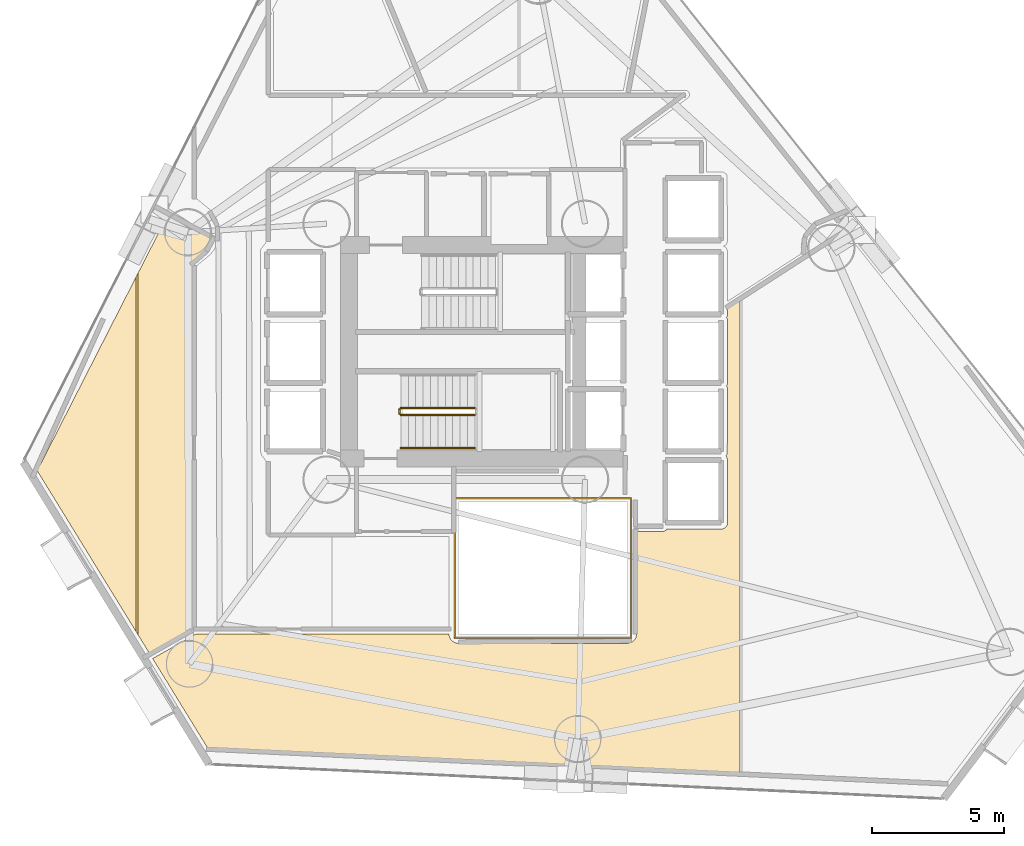
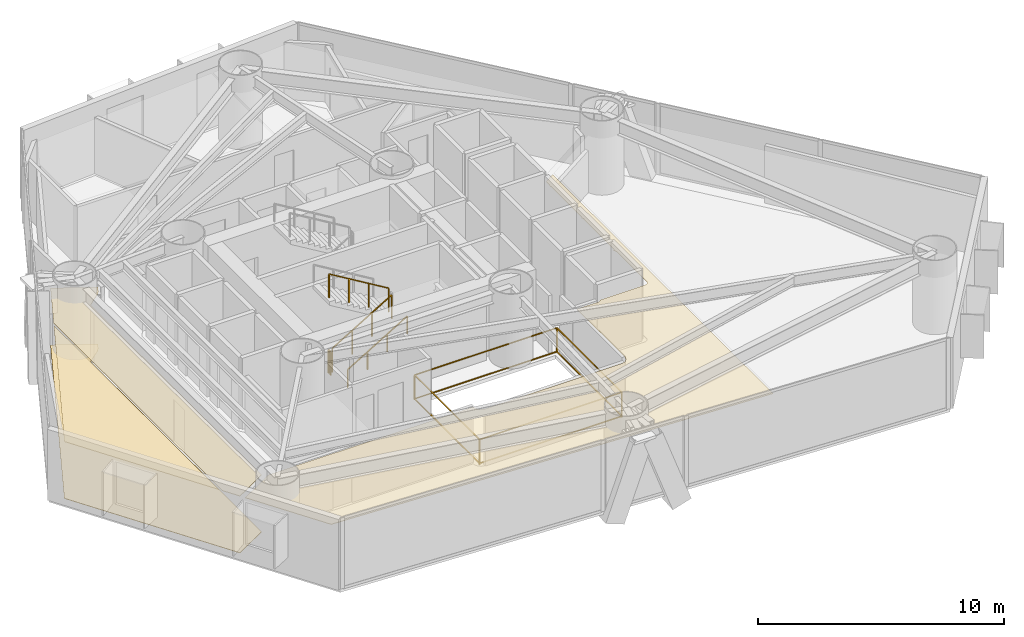
# One storey, part 20 of 23: 5 railings, 4 coverings.
"""IFC4 building model written with IfcOpenShell, lengths in metres."""

from ifc_helpers import new_model, si_unit, direction, frame, origin, origin_2d, place, context, subcontext, project, spatial, polyline, rectangle, outline, extrude, material, layer, layer_set, type_object, element, save


model = new_model("IFC4")

# Units and contexts
model_context = context("Model", 3, precision=1e-05, world=origin(), true_north=direction((0.0, 1.0)))
body_context = subcontext(model_context, "Body", "Model", "MODEL_VIEW")
ifc_project = project(units=[si_unit("LENGTHUNIT", "METRE"), si_unit("AREAUNIT", "SQUARE_METRE"), si_unit("VOLUMEUNIT", "CUBIC_METRE"), si_unit("PLANEANGLEUNIT", "RADIAN"), si_unit("MASSUNIT", "GRAM", prefix="KILO")], contexts=[model_context])

# Site, building, storey
site_placement = place(None, origin())
site = spatial("IfcSite", under=ifc_project, at=site_placement, CompositionType="ELEMENT")
building_placement = place(site_placement, origin())
building = spatial("IfcBuilding", under=site, at=building_placement, Name="Qianvela Tower", CompositionType="ELEMENT")
storey_placement = place(building_placement, frame((0.0, 0.0, 36.800048828125)))
storey = spatial("IfcBuildingStorey", under=building, at=storey_placement, Name="L08", CompositionType="ELEMENT", Elevation=36.800048828125)

# Coverings
ifc_material_1 = material(Name="Perforated Mineral Acoustic Ceiling Tile")
ifc_layer_1 = layer(ifc_material_1, 0.02490234375)
ifc_layer_set_1 = layer_set([ifc_layer_1], Name="Perforated Mineral Acoustic Ceiling Tile")
covering_type_1 = type_object("IfcCoveringType", Name="COV-CEIL-ACOUSTIC-25", PredefinedType="CEILING", material=ifc_layer_set_1)
covering_1_placement = place(storey_placement, frame((0.0, 0.0, 2.81494140625)))
element("IfcCovering", 1, at=covering_1_placement, inside=storey, type_object=covering_type_1, Name="L08 Acoustic Ceiling Bay 1 Shared Communal Kitchen L08-01", PredefinedType="CEILING", context=body_context, shape_type="SweptSolid", body=[
    extrude(outline(polyline([(17.628173828125, 24.18701171875), (21.37060546875, 31.51953125), (21.37060546875, 18.09716796875), (17.628173828125, 24.18701171875)])), origin(), (0.0, 0.0, 1.0), 0.02490234375),
])
covering_2_placement = place(storey_placement, frame((0.0, 0.0, 2.81494140625)))
element("IfcCovering", 2, at=covering_2_placement, inside=storey, type_object=covering_type_1, Name="L08 Acoustic Ceiling Bay 2 Shared Communal Kitchen L08-01", PredefinedType="CEILING", context=body_context, shape_type="SweptSolid", body=[
    extrude(outline(polyline([(24.2724609375, 32.97607421875), (24.269287109375, 32.945556640625), (24.135498046875, 32.695068359375), (24.016357421875, 32.5498046875), (23.448486328125, 32.083740234375), (23.442626953125, 32.07861328125), (23.4375, 32.07275390625), (23.4326171875, 32.06640625), (23.4287109375, 32.0595703125), (23.39990234375, 32.005615234375), (23.396484375, 31.99853515625), (23.393798828125, 31.9912109375), (23.391845703125, 31.9833984375), (23.390869140625, 31.975830078125), (23.390380859375, 31.968017578125), (23.389892578125, 18.14990234375), (23.390380859375, 18.142578125), (23.391357421875, 18.135498046875), (23.391845703125, 18.133056640625), (21.877197265625, 17.273193359375), (21.45068359375, 17.966796875), (21.45068359375, 31.67626953125), (22.5791015625, 33.886962890625), (24.2724609375, 32.97607421875)])), origin(), (0.0, 0.0, 1.0), 0.02490234375),
])
covering_3_placement = place(storey_placement, frame((0.0, 0.0, 2.81494140625)))
element("IfcCovering", 3, at=covering_3_placement, inside=storey, type_object=covering_type_1, Name="L08 Acoustic Ceiling Bay 1 Student Tea Pantry L08-02", PredefinedType="CEILING", context=body_context, shape_type="SweptSolid", body=[
    extrude(outline(polyline([(33.24609375, 17.989990234375), (33.252197265625, 17.912353515625), (33.25341796875, 17.904296875), (33.25537109375, 17.896240234375), (33.258056640625, 17.888427734375), (33.261474609375, 17.881103515625), (33.31298828125, 17.78466796875), (33.31689453125, 17.77783203125), (33.32177734375, 17.771484375), (33.326904296875, 17.765869140625), (33.332763671875, 17.760498046875), (33.417236328125, 17.691162109375), (33.42431640625, 17.68603515625), (33.431884765625, 17.681640625), (33.440185546875, 17.677978515625), (33.448486328125, 17.675537109375), (33.58056640625, 17.642333984375), (33.5869140625, 17.64111328125), (33.593505859375, 17.640380859375), (33.60009765625, 17.639892578125), (40.0, 17.639892578125), (40.0078125, 17.640380859375), (40.015625, 17.6416015625), (40.023193359375, 17.643310546875), (40.1787109375, 17.690673828125), (40.185546875, 17.693115234375), (40.192138671875, 17.696044921875), (40.198486328125, 17.69970703125), (40.204345703125, 17.70361328125), (40.209716796875, 17.70849609375), (40.21484375, 17.71337890625), (40.30615234375, 17.814208984375), (40.311279296875, 17.8203125), (40.315673828125, 17.826904296875), (40.3193359375, 17.833740234375), (40.322265625, 17.841064453125), (40.324462890625, 17.8486328125), (40.357666015625, 17.980712890625), (40.35888671875, 17.987060546875), (40.359619140625, 17.993408203125), (40.360107421875, 18.0), (40.360107421875, 21.889892578125), (41.367919921875, 21.890380859375), (41.375732421875, 21.890869140625), (41.383544921875, 21.891845703125), (41.39111328125, 21.893798828125), (41.3984375, 21.896484375), (41.405517578125, 21.89990234375), (41.45947265625, 21.9287109375), (41.46630859375, 21.932861328125), (41.472900390625, 21.9375), (41.478759765625, 21.943115234375), (41.48388671875, 21.948974609375), (41.48876953125, 21.955322265625), (41.492919921875, 21.96240234375), (41.49609375, 21.969482421875), (41.498779296875, 21.97705078125), (41.49951171875, 21.97998046875), (43.59375, 21.980712890625), (43.6015625, 21.981201171875), (43.609375, 21.982177734375), (43.616943359375, 21.984130859375), (43.624267578125, 21.98681640625), (43.699462890625, 22.017822265625), (43.70654296875, 22.021240234375), (43.71337890625, 22.025390625), (43.719482421875, 22.02978515625), (43.725341796875, 22.03515625), (43.730712890625, 22.041015625), (43.7353515625, 22.04736328125), (43.780517578125, 22.114990234375), (43.784423828125, 22.12158203125), (43.787841796875, 22.128662109375), (43.79052734375, 22.135986328125), (43.79248046875, 22.1435546875), (43.793701171875, 22.1513671875), (43.7939453125, 22.1591796875), (43.800048828125, 24.599853515625), (43.7998046875, 24.606689453125), (43.798828125, 24.613525390625), (43.79736328125, 24.620361328125), (43.79541015625, 24.626953125), (43.763427734375, 24.7158203125), (43.760498046875, 24.722900390625), (43.7568359375, 24.72998046875), (43.75244140625, 24.736572265625), (43.74755859375, 24.742431640625), (43.741943359375, 24.748046875), (43.736083984375, 24.7529296875), (43.771240234375, 24.795654296875), (43.77587890625, 24.802001953125), (43.77978515625, 24.80859375), (43.783203125, 24.815673828125), (43.785888671875, 24.822998046875), (43.787841796875, 24.83056640625), (43.788818359375, 24.83837890625), (43.789306640625, 24.84619140625), (43.800048828125, 27.2998046875), (43.799560546875, 27.3076171875), (43.798583984375, 27.315673828125), (43.79638671875, 27.323486328125), (43.793701171875, 27.3310546875), (43.7646484375, 27.39990234375), (43.793701171875, 27.468994140625), (43.79638671875, 27.476318359375), (43.79833984375, 27.484130859375), (43.799560546875, 27.491943359375), (43.800048828125, 27.5), (43.800048828125, 29.89990234375), (43.799560546875, 29.907958984375), (43.79833984375, 29.915771484375), (43.79638671875, 29.923583984375), (43.793701171875, 29.93115234375), (43.765625, 29.997802734375), (43.79150390625, 30.051513671875), (43.794189453125, 30.05810546875), (43.79638671875, 30.06494140625), (43.798095703125, 30.072021484375), (43.799072265625, 30.0791015625), (43.79931640625, 30.086181640625), (43.7998046875, 30.344482421875), (44.276123046875, 30.651611328125), (44.276123046875, 12.734619140625), (24.083984375, 13.682373046875), (22.0048828125, 17.065185546875), (23.634521484375, 17.989990234375), (33.24609375, 17.989990234375)])), origin(), (0.0, 0.0, 1.0), 0.02490234375),
])
ifc_material_2 = material(Name="Engineered Acoustic Oak Timber Flooring", Category="wood")
ifc_layer_2 = layer(ifc_material_2, 0.02001953125)
ifc_layer_set_2 = layer_set([ifc_layer_2], Name="Engineered Acoustic Oak Timber Flooring")
covering_type_2 = type_object("IfcCoveringType", Name="COV-FLOOR-OAK-20", PredefinedType="FLOORING", material=ifc_layer_set_2)
covering_4_placement = place(storey_placement, origin())
element("IfcCovering", 4, at=covering_4_placement, inside=storey, type_object=covering_type_2, Name="L08 Finish Flooring Shared Communal Kitchen L08-01", PredefinedType="FLOORING", context=body_context, shape_type="SweptSolid", body=[
    extrude(outline(polyline([(22.5791015625, 33.886962890625), (24.2724609375, 32.97607421875), (24.269287109375, 32.945556640625), (24.135498046875, 32.695068359375), (24.016357421875, 32.5498046875), (23.448486328125, 32.083740234375), (23.442626953125, 32.07861328125), (23.4375, 32.07275390625), (23.4326171875, 32.06640625), (23.4287109375, 32.0595703125), (23.39990234375, 32.005615234375), (23.396484375, 31.99853515625), (23.393798828125, 31.9912109375), (23.391845703125, 31.9833984375), (23.390869140625, 31.975830078125), (23.390380859375, 31.968017578125), (23.389892578125, 18.14990234375), (23.390380859375, 18.142578125), (23.391357421875, 18.135498046875), (23.391845703125, 18.133056640625), (21.877197265625, 17.273193359375), (17.628173828125, 24.18701171875), (22.5791015625, 33.886962890625)])), origin(), (0.0, 0.0, 1.0), 0.02001953125),
])

# Railings
ifc_material_3 = material(Name="Laminated Safety Glass and Stainless Steel 316", Category="steel")
railing_type_1 = type_object("IfcRailingType", Name="RL-ATRIUM-GUARD-1250", PredefinedType="GUARDRAIL", material=ifc_material_3)
railing_1_placement = place(storey_placement, frame((33.4599609375, 17.860107421875, 0.0)))
element("IfcRailing", 5, at=railing_1_placement, inside=storey, type_object=railing_type_1, Name="L08 Atrium Edge Guardrail 1", PredefinedType="GUARDRAIL", context=body_context, shape_type="SweptSolid", body=[
    extrude(rectangle(XDim=0.050048828125, YDim=0.0400390625, at=origin_2d()), frame((0.0, 0.0, 1.22998046875), z_axis=(0.0, 1.0, 0.0), x_axis=(-1.0, 0.0, 0.0)), (0.0, 0.0, 1.0), 5.27978515625),
    extrude(rectangle(XDim=0.050048828125, YDim=0.0400390625, at=origin_2d()), frame((0.0, 0.0, 0.050048828125), z_axis=(0.0, 1.0, 0.0), x_axis=(-1.0, 0.0, 0.0)), (0.0, 0.0, 1.0), 5.27978515625),
    extrude(rectangle(XDim=0.050048828125, YDim=0.0400390625, at=origin_2d()), frame((0.0, 5.27978515625, 1.22998046875), z_axis=(1.0, 0.0, 0.0), x_axis=(0.0, 1.0, 0.0)), (0.0, 0.0, 1.0), 6.679931640625),
    extrude(rectangle(XDim=0.050048828125, YDim=0.0400390625, at=origin_2d()), frame((0.0, 5.27978515625, 0.050048828125), z_axis=(1.0, 0.0, 0.0), x_axis=(0.0, 1.0, 0.0)), (0.0, 0.0, 1.0), 6.679931640625),
    extrude(rectangle(XDim=0.050048828125, YDim=0.0400390625, at=origin_2d()), frame((6.679931640625, 5.27978515625, 1.22998046875), z_axis=(0.0, -1.0, 0.0), x_axis=(1.0, 0.0, 0.0)), (0.0, 0.0, 1.0), 5.27978515625),
    extrude(rectangle(XDim=0.050048828125, YDim=0.0400390625, at=origin_2d()), frame((6.679931640625, 5.27978515625, 0.050048828125), z_axis=(0.0, -1.0, 0.0), x_axis=(1.0, 0.0, 0.0)), (0.0, 0.0, 1.0), 5.27978515625),
    extrude(rectangle(XDim=0.050048828125, YDim=0.0400390625, at=origin_2d()), frame((6.679931640625, 0.0, 1.22998046875), z_axis=(-1.0, 0.0, 0.0), x_axis=(0.0, -1.0, 0.0)), (0.0, 0.0, 1.0), 6.679931640625),
    extrude(rectangle(XDim=0.050048828125, YDim=0.0400390625, at=origin_2d()), frame((6.679931640625, 0.0, 0.050048828125), z_axis=(-1.0, 0.0, 0.0), x_axis=(0.0, -1.0, 0.0)), (0.0, 0.0, 1.0), 6.679931640625),
    extrude(rectangle(XDim=0.050048828125, YDim=0.050048828125, at=origin_2d()), origin(), (0.0, 0.0, 1.0), 1.2099609375),
    extrude(rectangle(XDim=0.050048828125, YDim=0.050048828125, at=origin_2d()), frame((0.0, 5.27978515625, 0.0)), (0.0, 0.0, 1.0), 1.2099609375),
    extrude(rectangle(XDim=0.050048828125, YDim=0.050048828125, at=origin_2d()), frame((6.679931640625, 5.27978515625, 0.0)), (0.0, 0.0, 1.0), 1.2099609375),
    extrude(rectangle(XDim=0.050048828125, YDim=0.050048828125, at=origin_2d()), frame((6.679931640625, 0.0, 0.0)), (0.0, 0.0, 1.0), 1.2099609375),
])
ifc_material_4 = material(Name="Painted Tubular Steel Q355B", Category="steel")
railing_type_2 = type_object("IfcRailingType", Name="RL-STAIR-GUARD-1200", PredefinedType="GUARDRAIL", material=ifc_material_4)
railing_2_placement = place(storey_placement, frame((31.419921875, 26.300048828125, 0.168212890625)))
element("IfcRailing", 6, at=railing_2_placement, inside=storey, type_object=railing_type_2, Name="L08 ST-2 stair guard 1", PredefinedType="GUARDRAIL", context=body_context, shape_type="SweptSolid", body=[
    extrude(rectangle(XDim=0.050048828125, YDim=0.0400390625, at=origin_2d()), frame((0.0, 0.0, 1.179931640625), z_axis=(0.857275202839, 0.0, 0.514858452973), x_axis=(0.0, 1.0, 0.0)), (0.0, 0.0, 1.0), 3.26611328125),
    extrude(rectangle(XDim=0.050048828125, YDim=0.050048828125, at=origin_2d()), origin(), (0.0, 0.0, 1.0), 1.159912109375),
    extrude(rectangle(XDim=0.050048828125, YDim=0.050048828125, at=origin_2d()), frame((0.933349609375, 0.0, 0.560546875)), (0.0, 0.0, 1.0), 1.159912109375),
    extrude(rectangle(XDim=0.050048828125, YDim=0.050048828125, at=origin_2d()), frame((1.86669921875, 0.0, 1.12109375)), (0.0, 0.0, 1.0), 1.159912109375),
    extrude(rectangle(XDim=0.050048828125, YDim=0.050048828125, at=origin_2d()), frame((2.800048828125, 0.0, 1.681640625)), (0.0, 0.0, 1.0), 1.159912109375),
])
railing_3_placement = place(storey_placement, frame((34.219970703125, 26.56005859375, 2.01806640625)))
element("IfcRailing", 7, at=railing_3_placement, inside=storey, type_object=railing_type_2, Name="L08 ST-2 stair guard 3", PredefinedType="GUARDRAIL", context=body_context, shape_type="SweptSolid", body=[
    extrude(rectangle(XDim=0.050048828125, YDim=0.0400390625, at=origin_2d()), frame((0.0, 0.0, 1.179931640625), z_axis=(-0.857242210791, 0.0, 0.514913383045), x_axis=(0.0, -1.0, 0.0)), (0.0, 0.0, 1.0), 3.266357421875),
    extrude(rectangle(XDim=0.050048828125, YDim=0.050048828125, at=origin_2d()), origin(), (0.0, 0.0, 1.0), 1.159912109375),
    extrude(rectangle(XDim=0.050048828125, YDim=0.050048828125, at=origin_2d()), frame((-0.933349609375, 0.0, 0.560546875)), (0.0, 0.0, 1.0), 1.159912109375),
    extrude(rectangle(XDim=0.050048828125, YDim=0.050048828125, at=origin_2d()), frame((-1.86669921875, 0.0, 1.121337890625)), (0.0, 0.0, 1.0), 1.159912109375),
    extrude(rectangle(XDim=0.050048828125, YDim=0.050048828125, at=origin_2d()), frame((-2.800048828125, 0.0, 1.681884765625)), (0.0, 0.0, 1.0), 1.159912109375),
])
railing_4_placement = place(storey_placement, frame((31.3701171875, 26.35009765625, 0.0)))
element("IfcRailing", 8, at=railing_4_placement, inside=storey, type_object=railing_type_2, Name="L08 ST-2 stair guard 4", PredefinedType="GUARDRAIL", context=body_context, shape_type="SweptSolid", body=[
    extrude(rectangle(XDim=0.050048828125, YDim=0.0400390625, at=origin_2d()), frame((0.0, 0.0, 1.179931640625), z_axis=(0.0, 1.0, 0.0), x_axis=(-1.0, 0.0, 0.0)), (0.0, 0.0, 1.0), 0.159912109375),
    extrude(rectangle(XDim=0.050048828125, YDim=0.050048828125, at=origin_2d()), origin(), (0.0, 0.0, 1.0), 1.159912109375),
    extrude(rectangle(XDim=0.050048828125, YDim=0.050048828125, at=origin_2d()), frame((0.0, 0.159912109375, 0.0)), (0.0, 0.0, 1.0), 1.159912109375),
])
ifc_material_5 = material(Name="Brushed Stainless Steel 304", Category="steel")
railing_type_3 = type_object("IfcRailingType", Name="RL-STAIR-HANDRAIL-900", PredefinedType="HANDRAIL", material=ifc_material_5)
railing_5_placement = place(storey_placement, frame((31.419921875, 25.050048828125, 0.168212890625)))
element("IfcRailing", 9, at=railing_5_placement, inside=storey, type_object=railing_type_3, Name="L08 ST-2 stair handrail 1", PredefinedType="HANDRAIL", context=body_context, shape_type="SweptSolid", body=[
    extrude(rectangle(XDim=0.050048828125, YDim=0.0400390625, at=origin_2d()), frame((0.0, 0.0, 0.8798828125), z_axis=(0.857275202839, 0.0, 0.514858452973), x_axis=(0.0, 1.0, 0.0)), (0.0, 0.0, 1.0), 3.26611328125),
    extrude(rectangle(XDim=0.050048828125, YDim=0.050048828125, at=origin_2d()), origin(), (0.0, 0.0, 1.0), 0.85986328125),
    extrude(rectangle(XDim=0.050048828125, YDim=0.050048828125, at=origin_2d()), frame((0.933349609375, 0.0, 0.560546875)), (0.0, 0.0, 1.0), 0.85986328125),
    extrude(rectangle(XDim=0.050048828125, YDim=0.050048828125, at=origin_2d()), frame((1.86669921875, 0.0, 1.12109375)), (0.0, 0.0, 1.0), 0.85986328125),
    extrude(rectangle(XDim=0.050048828125, YDim=0.050048828125, at=origin_2d()), frame((2.800048828125, 0.0, 1.681640625)), (0.0, 0.0, 1.0), 0.85986328125),
])

save(model, "model.ifc")
